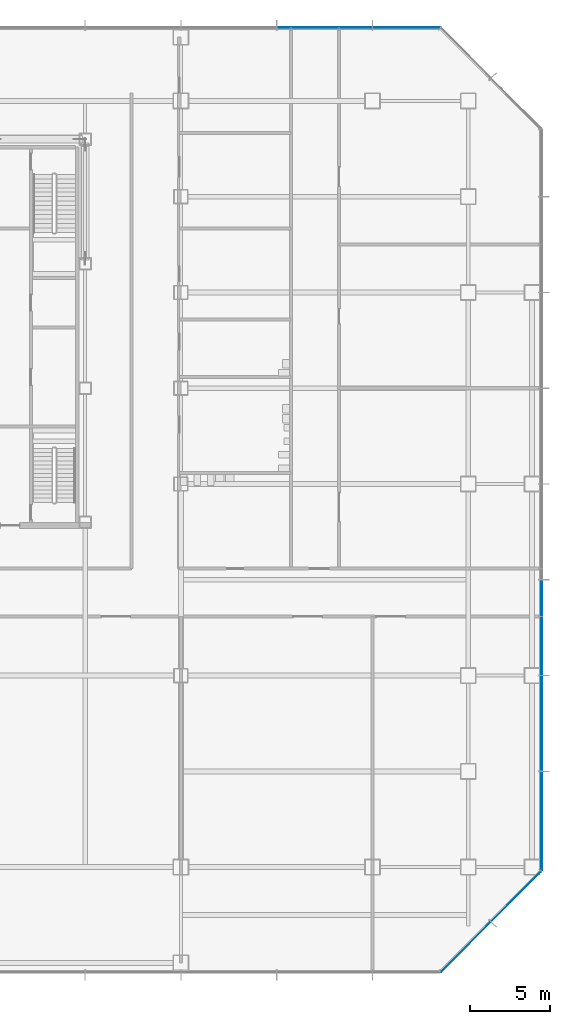
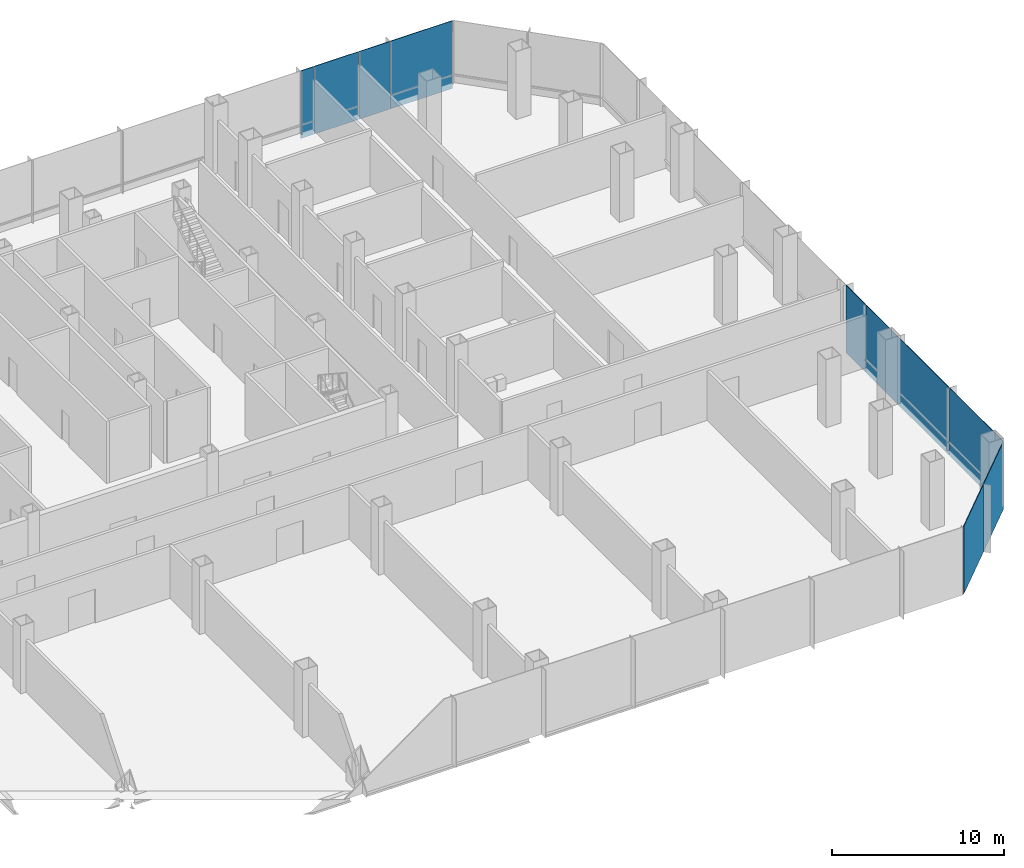
# One storey, part 21 of 33: 10 plates, 3 elements without a shape of their own.
"""IFC4 building model written with IfcOpenShell, lengths in metres."""

from ifc_helpers import new_model, si_unit, direction, frame, origin, origin_2d, place, context, subcontext, project, spatial, rectangle, extrude, material, layer, layer_set, type_object, element, aggregate, save


model = new_model("IFC4")

# Units and contexts
model_context = context("Model", 3, precision=1e-05, world=origin(), true_north=direction((0.0, 1.0)))
body_context = subcontext(model_context, "Body", "Model", "MODEL_VIEW")
ifc_project = project(units=[si_unit("LENGTHUNIT", "METRE"), si_unit("AREAUNIT", "SQUARE_METRE"), si_unit("VOLUMEUNIT", "CUBIC_METRE"), si_unit("PLANEANGLEUNIT", "RADIAN"), si_unit("MASSUNIT", "GRAM", prefix="KILO")], contexts=[model_context])

# Site, building, storey
site_placement = place(None, origin())
site = spatial("IfcSite", under=ifc_project, at=site_placement, CompositionType="ELEMENT")
building_placement = place(site_placement, origin())
building = spatial("IfcBuilding", under=site, at=building_placement, Name="Sorahane Residences", CompositionType="ELEMENT")
storey_placement = place(building_placement, frame((0.0, 0.0, 25.199951171875)))
storey = spatial("IfcBuildingStorey", under=building, at=storey_placement, Name="L03", CompositionType="ELEMENT", Elevation=25.199951171875)

# Curtain wall, plates
ifc_material_1 = material(Name="Dark low-e glass and black anodised aluminium", Category="aluminium")
curtain_wall_type = type_object("IfcCurtainWallType", Name="Curtain wall CW-3 Podium unitised wall", PredefinedType="NOTDEFINED", material=ifc_material_1)
curtain_wall_1_placement = place(storey_placement, origin())
curtain_wall_1 = element("IfcCurtainWall", 1, at=curtain_wall_1_placement, inside=storey, type_object=curtain_wall_type, Name="CW-3 curtain wall L03 SE1", PredefinedType="NOTDEFINED")
ifc_material_2 = material(Name="Dark low-e glass with black ceramic frit", Category="glass")
ifc_layer = layer(ifc_material_2, 0.0400390625)
ifc_layer_set = layer_set([ifc_layer], Name="Curtain wall glass panel dark low-e podium with black frit spandrel band")
plate_type = type_object("IfcPlateType", Name="Curtain wall glass panel dark low-e podium with black frit spandrel band", PredefinedType="CURTAIN_PANEL", material=ifc_layer_set)
plate_1_placement = place(storey_placement, frame((65.84521484375, -5.003173828125, -0.39990234375), z_axis=(0.0, 0.0, 1.0), x_axis=(0.707106781187, 0.707106781187, 0.0)))
plate_1 = element("IfcPlate", 2, at=plate_1_placement, type_object=plate_type, Name="CW-3 glass panel L03 SE1.1", PredefinedType="CURTAIN_PANEL", context=body_context, shape_type="SweptSolid", body=[
    extrude(rectangle(XDim=4.416259765625, YDim=0.0400390625, at=origin_2d()), origin(), (0.0, 0.0, 1.0), 4.800048828125),
])
plate_2_placement = place(storey_placement, frame((69.003173828125, -1.84521484375, -0.39990234375), z_axis=(0.0, 0.0, 1.0), x_axis=(0.707106781187, 0.707106781187, 0.0)))
plate_2 = element("IfcPlate", 3, at=plate_2_placement, type_object=plate_type, Name="CW-3 glass panel L03 SE1.2", PredefinedType="CURTAIN_PANEL", context=body_context, shape_type="SweptSolid", body=[
    extrude(rectangle(XDim=4.416259765625, YDim=0.0400390625, at=origin_2d()), origin(), (0.0, 0.0, 1.0), 4.800048828125),
])
aggregate(curtain_wall_1, [plate_1, plate_2])

curtain_wall_2_placement = place(storey_placement, origin())
curtain_wall_2 = element("IfcCurtainWall", 4, at=curtain_wall_2_placement, inside=storey, type_object=curtain_wall_type, Name="CW-3 curtain wall L03 E1", PredefinedType="NOTDEFINED")
plate_3_placement = place(storey_placement, frame((70.60009765625, 2.88818359375, -0.39990234375), z_axis=(0.0, 0.0, 1.0), x_axis=(0.0, 1.0, 0.0)))
plate_3 = element("IfcPlate", 5, at=plate_3_placement, type_object=plate_type, Name="CW-3 glass panel L03 E1.1", PredefinedType="CURTAIN_PANEL", context=body_context, shape_type="SweptSolid", body=[
    extrude(rectangle(XDim=6.173583984375, YDim=0.0400390625, at=origin_2d()), origin(), (0.0, 0.0, 1.0), 4.800048828125),
])
plate_4_placement = place(storey_placement, frame((70.60009765625, 9.0, -0.39990234375), z_axis=(0.0, 0.0, 1.0), x_axis=(0.0, 1.0, 0.0)))
plate_4 = element("IfcPlate", 6, at=plate_4_placement, type_object=plate_type, Name="CW-3 glass panel L03 E1.2", PredefinedType="CURTAIN_PANEL", context=body_context, shape_type="SweptSolid", body=[
    extrude(rectangle(XDim=5.949951171875, YDim=0.0400390625, at=origin_2d()), origin(), (0.0, 0.0, 1.0), 4.800048828125),
])
plate_5_placement = place(storey_placement, frame((70.60009765625, 13.85009765625, -0.39990234375), z_axis=(0.0, 0.0, 1.0), x_axis=(0.0, 1.0, 0.0)))
plate_5 = element("IfcPlate", 7, at=plate_5_placement, type_object=plate_type, Name="CW-3 glass panel L03 E1.3", PredefinedType="CURTAIN_PANEL", context=body_context, shape_type="SweptSolid", body=[
    extrude(rectangle(XDim=3.64990234375, YDim=0.0400390625, at=origin_2d()), origin(), (0.0, 0.0, 1.0), 4.800048828125),
])
plate_6_placement = place(storey_placement, frame((70.60009765625, 16.85009765625, -0.39990234375), z_axis=(0.0, 0.0, 1.0), x_axis=(0.0, 1.0, 0.0)))
plate_6 = element("IfcPlate", 8, at=plate_6_placement, type_object=plate_type, Name="CW-3 glass panel L03 E1.4", PredefinedType="CURTAIN_PANEL", context=body_context, shape_type="SweptSolid", body=[
    extrude(rectangle(XDim=2.25, YDim=0.0400390625, at=origin_2d()), origin(), (0.0, 0.0, 1.0), 4.800048828125),
])
aggregate(curtain_wall_2, [plate_3, plate_4, plate_5, plate_6])

curtain_wall_3_placement = place(storey_placement, origin())
curtain_wall_3 = element("IfcCurtainWall", 9, at=curtain_wall_3_placement, inside=storey, type_object=curtain_wall_type, Name="CW-3 curtain wall L03 N1", PredefinedType="NOTDEFINED")
plate_7_placement = place(storey_placement, frame((62.11181640625, 52.60009765625, -0.39990234375), z_axis=(0.0, 0.0, 1.0), x_axis=(-1.0, 0.0, 0.0)))
plate_7 = element("IfcPlate", 10, at=plate_7_placement, type_object=plate_type, Name="CW-3 glass panel L03 N1.1", PredefinedType="CURTAIN_PANEL", context=body_context, shape_type="SweptSolid", body=[
    extrude(rectangle(XDim=4.173583984375, YDim=0.0400390625, at=origin_2d()), origin(), (0.0, 0.0, 1.0), 4.800048828125),
])
plate_8_placement = place(storey_placement, frame((58.949951171875, 52.60009765625, -0.39990234375), z_axis=(0.0, 0.0, 1.0), x_axis=(-1.0, 0.0, 0.0)))
plate_8 = element("IfcPlate", 11, at=plate_8_placement, type_object=plate_type, Name="CW-3 glass panel L03 N1.2", PredefinedType="CURTAIN_PANEL", context=body_context, shape_type="SweptSolid", body=[
    extrude(rectangle(XDim=2.050048828125, YDim=0.0400390625, at=origin_2d()), origin(), (0.0, 0.0, 1.0), 4.800048828125),
])
plate_9_placement = place(storey_placement, frame((56.39990234375, 52.60009765625, -0.39990234375), z_axis=(0.0, 0.0, 1.0), x_axis=(-1.0, 0.0, 0.0)))
plate_9 = element("IfcPlate", 12, at=plate_9_placement, type_object=plate_type, Name="CW-3 glass panel L03 N1.3", PredefinedType="CURTAIN_PANEL", context=body_context, shape_type="SweptSolid", body=[
    extrude(rectangle(XDim=2.949951171875, YDim=0.0400390625, at=origin_2d()), origin(), (0.0, 0.0, 1.0), 4.800048828125),
])
plate_10_placement = place(storey_placement, frame((54.449951171875, 52.60009765625, -0.39990234375), z_axis=(0.0, 0.0, 1.0), x_axis=(-1.0, 0.0, 0.0)))
plate_10 = element("IfcPlate", 13, at=plate_10_placement, type_object=plate_type, Name="CW-3 glass panel L03 N1.4", PredefinedType="CURTAIN_PANEL", context=body_context, shape_type="SweptSolid", body=[
    extrude(rectangle(XDim=0.85009765625, YDim=0.0400390625, at=origin_2d()), origin(), (0.0, 0.0, 1.0), 4.800048828125),
])
aggregate(curtain_wall_3, [plate_7, plate_8, plate_9, plate_10])

save(model, "model.ifc")
